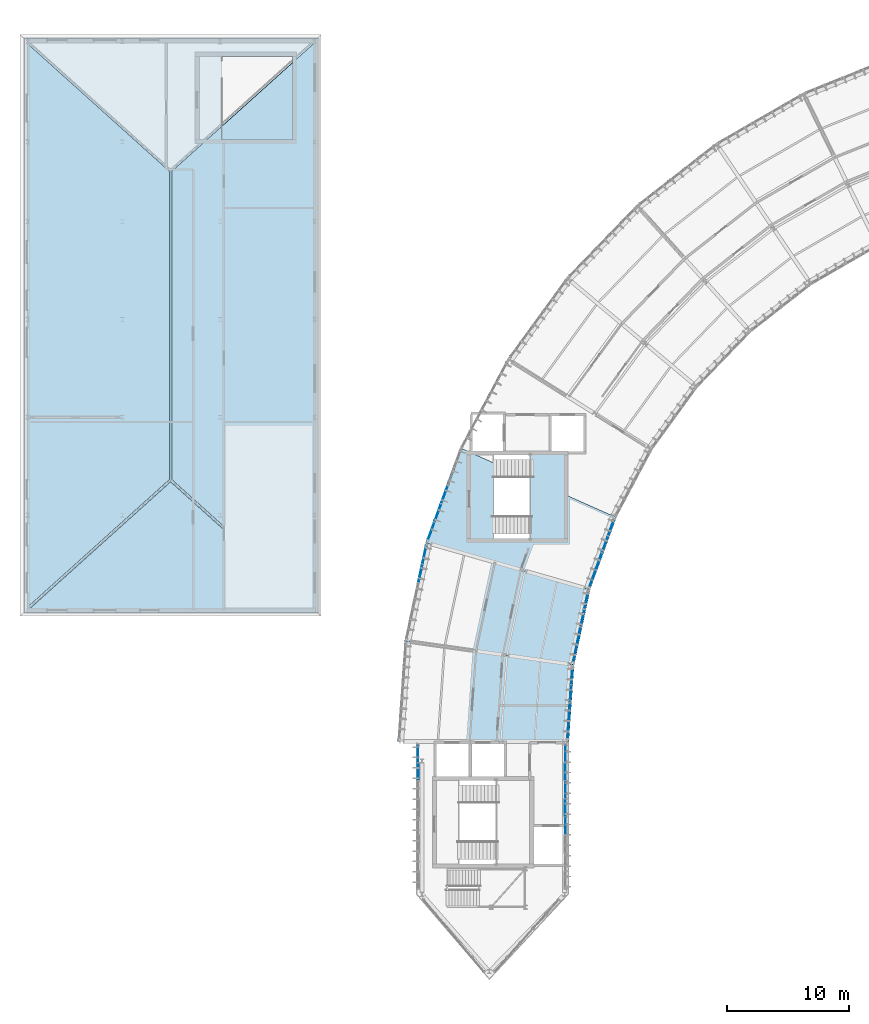
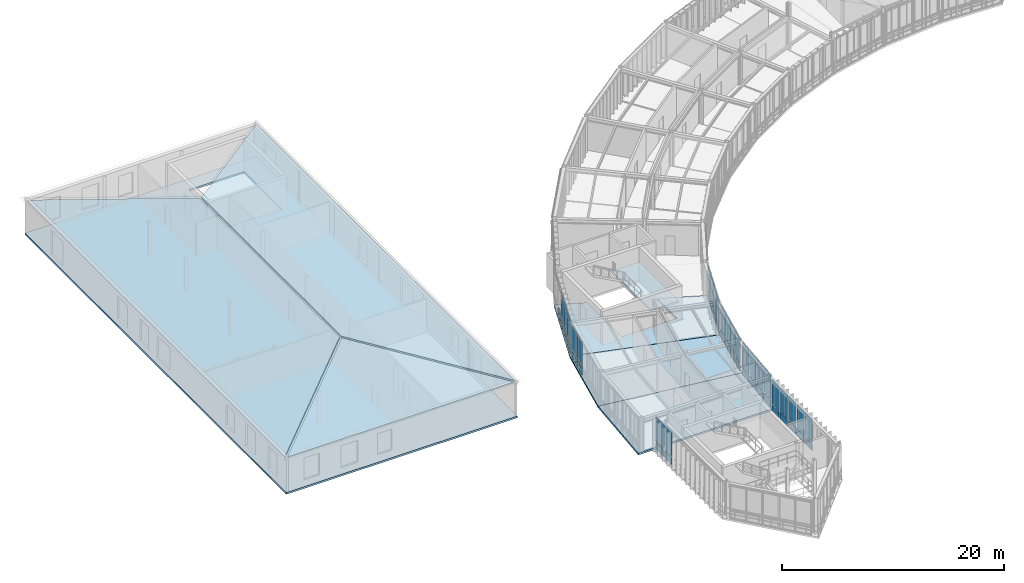
# One storey, part 17 of 42: 49 plates, 8 slabs, 8 elements without a shape of their own.
"""IFC4 building model written with IfcOpenShell, lengths in metres."""

from ifc_helpers import new_model, si_unit, direction, frame, origin, origin_2d, place, context, subcontext, project, spatial, polyline, rectangle, outline, extrude, material, layer, layer_set, type_object, element, aggregate, save


model = new_model("IFC4")

# Units and contexts
model_context = context("Model", 3, precision=1e-05, world=origin(), true_north=direction((0.0, 1.0)))
body_context = subcontext(model_context, "Body", "Model", "MODEL_VIEW")
ifc_project = project(units=[si_unit("LENGTHUNIT", "METRE"), si_unit("AREAUNIT", "SQUARE_METRE"), si_unit("VOLUMEUNIT", "CUBIC_METRE"), si_unit("PLANEANGLEUNIT", "RADIAN"), si_unit("MASSUNIT", "GRAM", prefix="KILO"), si_unit("THERMODYNAMICTEMPERATUREUNIT", "KELVIN"), si_unit("POWERUNIT", "WATT")], contexts=[model_context])

# Site, building, storey
site_placement = place(None, origin())
site = spatial("IfcSite", under=ifc_project, at=site_placement, CompositionType="ELEMENT")
building_placement = place(site_placement, origin())
building = spatial("IfcBuilding", under=site, at=building_placement, Name="Solvatero Civic Police Headquarters", CompositionType="ELEMENT")
storey_placement = place(building_placement, frame((0.0, 0.0, 21.60009765625)))
storey = spatial("IfcBuildingStorey", under=building, at=storey_placement, Name="L05", CompositionType="ELEMENT", Elevation=21.60009765625)

# Curtain wall, plates
ifc_material_1 = material(Name="Anodized Bronze Aluminium", Category="aluminium")
ifc_layer_1 = layer(ifc_material_1, 0.179931640625)
ifc_layer_set_1 = layer_set([ifc_layer_1], Name="Anodized Bronze Aluminium")
curtain_wall_type_1 = type_object("IfcCurtainWallType", Name="CW-ARC-OUT", PredefinedType="USERDEFINED", material=ifc_layer_set_1)
curtain_wall_1_placement = place(storey_placement, origin())
curtain_wall_1 = element("IfcCurtainWall", 1, at=curtain_wall_1_placement, inside=storey, type_object=curtain_wall_type_1, Name="Curtain Wall CW-R2-L05-ARC-OUT-B10", ObjectType="UNITISED", PredefinedType="USERDEFINED")
ifc_material_2 = material(Name="Triple Low-E Laminated Glass", Category="glass")
ifc_layer_2 = layer(ifc_material_2, 0.0380859375)
ifc_layer_set_2 = layer_set([ifc_layer_2], Name="Triple Low-E Laminated Glass")
plate_type_1 = type_object("IfcPlateType", Name="CWP-GLZ-38", PredefinedType="CURTAIN_PANEL", material=ifc_layer_set_2)
plate_1_placement = place(storey_placement, frame((38.83251953125, 46.162353515625, 0.909912109375), z_axis=(0.0, 0.0, 1.0), x_axis=(-0.342020143326, -0.939692620786, 0.0)))
plate_1 = element("IfcPlate", 2, at=plate_1_placement, type_object=plate_type_1, Name="CW-R2-L05-ARC-OUT-B10 Vision Glazing 3", PredefinedType="CURTAIN_PANEL", context=body_context, shape_type="SweptSolid", body=[
    extrude(rectangle(XDim=1.40771484375, YDim=0.0380859375, at=origin_2d()), origin(), (0.0, 0.0, 1.0), 2.669921875),
])
plate_2_placement = place(storey_placement, frame((37.746337890625, 43.178466796875, 0.909912109375), z_axis=(0.0, 0.0, 1.0), x_axis=(-0.342020143326, -0.939692620786, 0.0)))
plate_2 = element("IfcPlate", 3, at=plate_2_placement, type_object=plate_type_1, Name="CW-R2-L05-ARC-OUT-B10 Vision Glazing 5", PredefinedType="CURTAIN_PANEL", context=body_context, shape_type="SweptSolid", body=[
    extrude(rectangle(XDim=1.40771484375, YDim=0.0380859375, at=origin_2d()), origin(), (0.0, 0.0, 1.0), 2.669921875),
])

ifc_layer_3 = layer(ifc_material_1, 0.179931640625)
ifc_layer_set_3 = layer_set([ifc_layer_3], Name="Anodized Bronze Aluminium")
curtain_wall_type_2 = type_object("IfcCurtainWallType", Name="CW-ARC-IN", PredefinedType="USERDEFINED", material=ifc_layer_set_3)
curtain_wall_2_placement = place(storey_placement, origin())
curtain_wall_2 = element("IfcCurtainWall", 4, at=curtain_wall_2_placement, inside=storey, type_object=curtain_wall_type_2, Name="Curtain Wall CW-R2-L05-ARC-IN-B10", ObjectType="UNITISED", PredefinedType="USERDEFINED")
plate_3_placement = place(storey_placement, frame((51.9599609375, 42.096435546875, 0.909912109375), z_axis=(0.0, 0.0, 1.0), x_axis=(-0.342020143326, -0.939692620786, 0.0)))
plate_3 = element("IfcPlate", 5, at=plate_3_placement, type_object=plate_type_1, Name="CW-R2-L05-ARC-IN-B10 Vision Glazing 2", PredefinedType="CURTAIN_PANEL", context=body_context, shape_type="SweptSolid", body=[
    extrude(rectangle(XDim=1.30419921875, YDim=0.0380859375, at=origin_2d()), origin(), (0.0, 0.0, 1.0), 2.669921875),
])
plate_4_placement = place(storey_placement, frame((50.944580078125, 39.306884765625, 0.909912109375), z_axis=(0.0, 0.0, 1.0), x_axis=(-0.342020143326, -0.939692620786, 0.0)))
plate_4 = element("IfcPlate", 6, at=plate_4_placement, type_object=plate_type_1, Name="CW-R2-L05-ARC-IN-B10 Vision Glazing 4", PredefinedType="CURTAIN_PANEL", context=body_context, shape_type="SweptSolid", body=[
    extrude(rectangle(XDim=1.30419921875, YDim=0.0380859375, at=origin_2d()), origin(), (0.0, 0.0, 1.0), 2.669921875),
])

# Curtain wall, plate
curtain_wall_3_placement = place(storey_placement, origin())
curtain_wall_3 = element("IfcCurtainWall", 7, at=curtain_wall_3_placement, inside=storey, type_object=curtain_wall_type_1, Name="Curtain Wall CW-R2-L05-ARC-OUT-B11", ObjectType="UNITISED", PredefinedType="USERDEFINED")
plate_5_placement = place(storey_placement, frame((37.194091796875, 41.256103515625, 0.909912109375), z_axis=(0.0, 0.0, 1.0), x_axis=(-0.207911690818, -0.978147600734, 0.0)))
plate_5 = element("IfcPlate", 8, at=plate_5_placement, type_object=plate_type_1, Name="CW-R2-L05-ARC-OUT-B11 Vision Glazing 1", PredefinedType="CURTAIN_PANEL", context=body_context, shape_type="SweptSolid", body=[
    extrude(rectangle(XDim=1.37841796875, YDim=0.0380859375, at=origin_2d()), origin(), (0.0, 0.0, 1.0), 2.669921875),
])

# Curtain wall, plates
curtain_wall_4_placement = place(storey_placement, origin())
curtain_wall_4 = element("IfcCurtainWall", 9, at=curtain_wall_4_placement, inside=storey, type_object=curtain_wall_type_2, Name="Curtain Wall CW-R2-L05-ARC-IN-B11", ObjectType="UNITISED", PredefinedType="USERDEFINED")
plate_6_placement = place(storey_placement, frame((50.126708984375, 36.0791015625, 0.909912109375), z_axis=(0.0, 0.0, 1.0), x_axis=(-0.20789461889, -0.978151229328, 0.0)))
plate_6 = element("IfcPlate", 10, at=plate_6_placement, type_object=plate_type_1, Name="CW-R2-L05-ARC-IN-B11 Vision Glazing 2", PredefinedType="CURTAIN_PANEL", context=body_context, shape_type="SweptSolid", body=[
    extrude(rectangle(XDim=1.30419921875, YDim=0.0380859375, at=origin_2d()), origin(), (0.0, 0.0, 1.0), 2.669921875),
])
plate_7_placement = place(storey_placement, frame((49.509521484375, 33.175537109375, 0.909912109375), z_axis=(0.0, 0.0, 1.0), x_axis=(-0.20789461889, -0.978151229328, 0.0)))
plate_7 = element("IfcPlate", 11, at=plate_7_placement, type_object=plate_type_1, Name="CW-R2-L05-ARC-IN-B11 Vision Glazing 4", PredefinedType="CURTAIN_PANEL", context=body_context, shape_type="SweptSolid", body=[
    extrude(rectangle(XDim=1.30419921875, YDim=0.0380859375, at=origin_2d()), origin(), (0.0, 0.0, 1.0), 2.669921875),
])

curtain_wall_5_placement = place(storey_placement, origin())
curtain_wall_5 = element("IfcCurtainWall", 12, at=curtain_wall_5_placement, inside=storey, type_object=curtain_wall_type_2, Name="Curtain Wall CW-R2-L05-ARC-IN-B12", ObjectType="UNITISED", PredefinedType="USERDEFINED")
plate_8_placement = place(storey_placement, frame((49.151611328125, 29.885009765625, 0.909912109375), z_axis=(0.0, 0.0, 1.0), x_axis=(-0.069773884511, -0.997562832628, 0.0)))
plate_8 = element("IfcPlate", 13, at=plate_8_placement, type_object=plate_type_1, Name="CW-R2-L05-ARC-IN-B12 Vision Glazing 2", PredefinedType="CURTAIN_PANEL", context=body_context, shape_type="SweptSolid", body=[
    extrude(rectangle(XDim=1.30419921875, YDim=0.0380859375, at=origin_2d()), origin(), (0.0, 0.0, 1.0), 2.669921875),
])
plate_9_placement = place(storey_placement, frame((48.944580078125, 26.923828125, 0.909912109375), z_axis=(0.0, 0.0, 1.0), x_axis=(-0.069773884511, -0.997562832628, 0.0)))
plate_9 = element("IfcPlate", 14, at=plate_9_placement, type_object=plate_type_1, Name="CW-R2-L05-ARC-IN-B12 Vision Glazing 4", PredefinedType="CURTAIN_PANEL", context=body_context, shape_type="SweptSolid", body=[
    extrude(rectangle(XDim=1.30419921875, YDim=0.0380859375, at=origin_2d()), origin(), (0.0, 0.0, 1.0), 2.669921875),
])

# Curtain wall, plate
ifc_layer_4 = layer(ifc_material_1, 0.179931640625)
ifc_layer_set_4 = layer_set([ifc_layer_4], Name="Anodized Bronze Aluminium")
curtain_wall_type_3 = type_object("IfcCurtainWallType", Name="CW-PROW-GLZ", PredefinedType="USERDEFINED", material=ifc_layer_set_4)
curtain_wall_6_placement = place(storey_placement, origin())
curtain_wall_6 = element("IfcCurtainWall", 15, at=curtain_wall_6_placement, inside=storey, type_object=curtain_wall_type_3, Name="Curtain Wall CW-R2-L05-PROW-W", ObjectType="UNITISED", PredefinedType="USERDEFINED")
plate_10_placement = place(storey_placement, frame((36.679931640625, 25.00048828125, 0.909912109375), z_axis=(0.0, 0.0, 1.0), x_axis=(0.0, -1.0, 0.0)))
plate_10 = element("IfcPlate", 16, at=plate_10_placement, type_object=plate_type_1, Name="CW-R2-L05-PROW-W Vision Glazing 1", PredefinedType="CURTAIN_PANEL", context=body_context, shape_type="SweptSolid", body=[
    extrude(rectangle(XDim=1.298583984375, YDim=0.0380859375, at=origin_2d()), origin(), (0.0, 0.0, 1.0), 2.669921875),
])

# Curtain wall, plates
curtain_wall_7_placement = place(storey_placement, origin())
curtain_wall_7 = element("IfcCurtainWall", 17, at=curtain_wall_7_placement, inside=storey, type_object=curtain_wall_type_3, Name="Curtain Wall CW-R2-L05-PROW-E", ObjectType="UNITISED", PredefinedType="USERDEFINED")
plate_11_placement = place(storey_placement, frame((48.719970703125, 19.085693359375, 0.909912109375), z_axis=(0.0, 0.0, 1.0), x_axis=(0.0, 1.0, 0.0)))
plate_11 = element("IfcPlate", 18, at=plate_11_placement, type_object=plate_type_1, Name="CW-R2-L05-PROW-E Vision Glazing 4", PredefinedType="CURTAIN_PANEL", context=body_context, shape_type="SweptSolid", body=[
    extrude(rectangle(XDim=1.298828125, YDim=0.0380859375, at=origin_2d()), origin(), (0.0, 0.0, 1.0), 2.669921875),
])
plate_12_placement = place(storey_placement, frame((48.719970703125, 22.043212890625, 0.909912109375), z_axis=(0.0, 0.0, 1.0), x_axis=(0.0, 1.0, 0.0)))
plate_12 = element("IfcPlate", 19, at=plate_12_placement, type_object=plate_type_1, Name="CW-R2-L05-PROW-E Vision Glazing 6", PredefinedType="CURTAIN_PANEL", context=body_context, shape_type="SweptSolid", body=[
    extrude(rectangle(XDim=1.298828125, YDim=0.0380859375, at=origin_2d()), origin(), (0.0, 0.0, 1.0), 2.669921875),
])
plate_13_placement = place(storey_placement, frame((48.719970703125, 25.00048828125, 0.909912109375), z_axis=(0.0, 0.0, 1.0), x_axis=(0.0, 1.0, 0.0)))
plate_13 = element("IfcPlate", 20, at=plate_13_placement, type_object=plate_type_1, Name="CW-R2-L05-PROW-E Vision Glazing 8", PredefinedType="CURTAIN_PANEL", context=body_context, shape_type="SweptSolid", body=[
    extrude(rectangle(XDim=1.298828125, YDim=0.0380859375, at=origin_2d()), origin(), (0.0, 0.0, 1.0), 2.669921875),
])

# Plate
ifc_material_3 = material(Name="Acoustic Ballistic Laminated Glass", Category="glass")
ifc_layer_5 = layer(ifc_material_3, 0.0439453125)
ifc_layer_set_5 = layer_set([ifc_layer_5], Name="Acoustic Ballistic Laminated Glass")
plate_type_2 = type_object("IfcPlateType", Name="CWP-GLZ-44", PredefinedType="CURTAIN_PANEL", material=ifc_layer_set_5)
plate_14_placement = place(storey_placement, frame((38.289306640625, 44.67041015625, 0.909912109375), z_axis=(0.0, 0.0, 1.0), x_axis=(-0.342020143326, -0.939692620786, 0.0)))
plate_14 = element("IfcPlate", 21, at=plate_14_placement, type_object=plate_type_2, Name="CW-R2-L05-ARC-OUT-B10 Vision Glazing 4", PredefinedType="CURTAIN_PANEL", context=body_context, shape_type="SweptSolid", body=[
    extrude(rectangle(XDim=1.40771484375, YDim=0.0439453125, at=origin_2d()), origin(), (0.0, 0.0, 1.0), 2.669921875),
])

plate_15_placement = place(storey_placement, frame((52.467529296875, 43.4912109375, 0.909912109375), z_axis=(0.0, 0.0, 1.0), x_axis=(-0.342020143326, -0.939692620786, 0.0)))
plate_15 = element("IfcPlate", 22, at=plate_15_placement, type_object=plate_type_2, Name="CW-R2-L05-ARC-IN-B10 Vision Glazing 1", PredefinedType="CURTAIN_PANEL", context=body_context, shape_type="SweptSolid", body=[
    extrude(rectangle(XDim=1.30419921875, YDim=0.0439453125, at=origin_2d()), origin(), (0.0, 0.0, 1.0), 2.669921875),
])

plate_16_placement = place(storey_placement, frame((51.452392578125, 40.70166015625, 0.909912109375), z_axis=(0.0, 0.0, 1.0), x_axis=(-0.342020143326, -0.939692620786, 0.0)))
plate_16 = element("IfcPlate", 23, at=plate_16_placement, type_object=plate_type_2, Name="CW-R2-L05-ARC-IN-B10 Vision Glazing 3", PredefinedType="CURTAIN_PANEL", context=body_context, shape_type="SweptSolid", body=[
    extrude(rectangle(XDim=1.30419921875, YDim=0.0439453125, at=origin_2d()), origin(), (0.0, 0.0, 1.0), 2.669921875),
])

plate_17_placement = place(storey_placement, frame((36.8701171875, 39.731689453125, 0.909912109375), z_axis=(0.0, 0.0, 1.0), x_axis=(-0.207911690818, -0.978147600734, 0.0)))
plate_17 = element("IfcPlate", 24, at=plate_17_placement, type_object=plate_type_2, Name="CW-R2-L05-ARC-OUT-B11 Vision Glazing 2", PredefinedType="CURTAIN_PANEL", context=body_context, shape_type="SweptSolid", body=[
    extrude(rectangle(XDim=1.37841796875, YDim=0.0439453125, at=origin_2d()), origin(), (0.0, 0.0, 1.0), 2.669921875),
])

plate_18_placement = place(storey_placement, frame((50.435302734375, 37.531005859375, 0.909912109375), z_axis=(0.0, 0.0, 1.0), x_axis=(-0.20789461889, -0.978151229328, 0.0)))
plate_18 = element("IfcPlate", 25, at=plate_18_placement, type_object=plate_type_2, Name="CW-R2-L05-ARC-IN-B11 Vision Glazing 1", PredefinedType="CURTAIN_PANEL", context=body_context, shape_type="SweptSolid", body=[
    extrude(rectangle(XDim=1.30419921875, YDim=0.0439453125, at=origin_2d()), origin(), (0.0, 0.0, 1.0), 2.669921875),
])

plate_19_placement = place(storey_placement, frame((49.818115234375, 34.627197265625, 0.909912109375), z_axis=(0.0, 0.0, 1.0), x_axis=(-0.20789461889, -0.978151229328, 0.0)))
plate_19 = element("IfcPlate", 26, at=plate_19_placement, type_object=plate_type_2, Name="CW-R2-L05-ARC-IN-B11 Vision Glazing 3", PredefinedType="CURTAIN_PANEL", context=body_context, shape_type="SweptSolid", body=[
    extrude(rectangle(XDim=1.30419921875, YDim=0.0439453125, at=origin_2d()), origin(), (0.0, 0.0, 1.0), 2.669921875),
])

plate_20_placement = place(storey_placement, frame((49.255126953125, 31.365478515625, 0.909912109375), z_axis=(0.0, 0.0, 1.0), x_axis=(-0.069773884511, -0.997562832628, 0.0)))
plate_20 = element("IfcPlate", 27, at=plate_20_placement, type_object=plate_type_2, Name="CW-R2-L05-ARC-IN-B12 Vision Glazing 1", PredefinedType="CURTAIN_PANEL", context=body_context, shape_type="SweptSolid", body=[
    extrude(rectangle(XDim=1.30419921875, YDim=0.0439453125, at=origin_2d()), origin(), (0.0, 0.0, 1.0), 2.669921875),
])

plate_21_placement = place(storey_placement, frame((49.048095703125, 28.404541015625, 0.909912109375), z_axis=(0.0, 0.0, 1.0), x_axis=(-0.069773884511, -0.997562832628, 0.0)))
plate_21 = element("IfcPlate", 28, at=plate_21_placement, type_object=plate_type_2, Name="CW-R2-L05-ARC-IN-B12 Vision Glazing 3", PredefinedType="CURTAIN_PANEL", context=body_context, shape_type="SweptSolid", body=[
    extrude(rectangle(XDim=1.30419921875, YDim=0.0439453125, at=origin_2d()), origin(), (0.0, 0.0, 1.0), 2.669921875),
])

plate_22_placement = place(storey_placement, frame((36.679931640625, 23.52197265625, 0.909912109375), z_axis=(0.0, 0.0, 1.0), x_axis=(0.0, -1.0, 0.0)))
plate_22 = element("IfcPlate", 29, at=plate_22_placement, type_object=plate_type_2, Name="CW-R2-L05-PROW-W Vision Glazing 2", PredefinedType="CURTAIN_PANEL", context=body_context, shape_type="SweptSolid", body=[
    extrude(rectangle(XDim=1.298583984375, YDim=0.0439453125, at=origin_2d()), origin(), (0.0, 0.0, 1.0), 2.669921875),
])

plate_23_placement = place(storey_placement, frame((48.719970703125, 20.564453125, 0.909912109375), z_axis=(0.0, 0.0, 1.0), x_axis=(0.0, 1.0, 0.0)))
plate_23 = element("IfcPlate", 30, at=plate_23_placement, type_object=plate_type_2, Name="CW-R2-L05-PROW-E Vision Glazing 5", PredefinedType="CURTAIN_PANEL", context=body_context, shape_type="SweptSolid", body=[
    extrude(rectangle(XDim=1.298828125, YDim=0.0439453125, at=origin_2d()), origin(), (0.0, 0.0, 1.0), 2.669921875),
])

plate_24_placement = place(storey_placement, frame((48.719970703125, 23.52197265625, 0.909912109375), z_axis=(0.0, 0.0, 1.0), x_axis=(0.0, 1.0, 0.0)))
plate_24 = element("IfcPlate", 31, at=plate_24_placement, type_object=plate_type_2, Name="CW-R2-L05-PROW-E Vision Glazing 7", PredefinedType="CURTAIN_PANEL", context=body_context, shape_type="SweptSolid", body=[
    extrude(rectangle(XDim=1.298828125, YDim=0.0439453125, at=origin_2d()), origin(), (0.0, 0.0, 1.0), 2.669921875),
])

ifc_material_4 = material(Name="Insulated Bronze Aluminium Spandrel", Category="aluminium")
ifc_layer_6 = layer(ifc_material_4, 0.06005859375)
ifc_layer_set_6 = layer_set([ifc_layer_6], Name="Insulated Bronze Aluminium Spandrel")
plate_type_3 = type_object("IfcPlateType", Name="CWP-SPN-60", PredefinedType="CURTAIN_PANEL", material=ifc_layer_set_6)
plate_25_placement = place(storey_placement, frame((38.83251953125, 46.162353515625, 0.059814453125), z_axis=(0.0, 0.0, 1.0), x_axis=(-0.342020143326, -0.939692620786, 0.0)))
plate_25 = element("IfcPlate", 32, at=plate_25_placement, type_object=plate_type_3, Name="CW-R2-L05-ARC-OUT-B10 Spandrel Panel 3", PredefinedType="CURTAIN_PANEL", context=body_context, shape_type="SweptSolid", body=[
    extrude(rectangle(XDim=1.40771484375, YDim=0.06005859375, at=origin_2d()), origin(), (0.0, 0.0, 1.0), 0.72998046875),
])

plate_26_placement = place(storey_placement, frame((37.746337890625, 43.178466796875, 0.059814453125), z_axis=(0.0, 0.0, 1.0), x_axis=(-0.342020143326, -0.939692620786, 0.0)))
plate_26 = element("IfcPlate", 33, at=plate_26_placement, type_object=plate_type_3, Name="CW-R2-L05-ARC-OUT-B10 Spandrel Panel 5", PredefinedType="CURTAIN_PANEL", context=body_context, shape_type="SweptSolid", body=[
    extrude(rectangle(XDim=1.40771484375, YDim=0.06005859375, at=origin_2d()), origin(), (0.0, 0.0, 1.0), 0.72998046875),
])

plate_27_placement = place(storey_placement, frame((51.9599609375, 42.096435546875, 0.059814453125), z_axis=(0.0, 0.0, 1.0), x_axis=(-0.342020143326, -0.939692620786, 0.0)))
plate_27 = element("IfcPlate", 34, at=plate_27_placement, type_object=plate_type_3, Name="CW-R2-L05-ARC-IN-B10 Spandrel Panel 2", PredefinedType="CURTAIN_PANEL", context=body_context, shape_type="SweptSolid", body=[
    extrude(rectangle(XDim=1.30419921875, YDim=0.06005859375, at=origin_2d()), origin(), (0.0, 0.0, 1.0), 0.72998046875),
])

plate_28_placement = place(storey_placement, frame((50.944580078125, 39.306884765625, 0.059814453125), z_axis=(0.0, 0.0, 1.0), x_axis=(-0.342020143326, -0.939692620786, 0.0)))
plate_28 = element("IfcPlate", 35, at=plate_28_placement, type_object=plate_type_3, Name="CW-R2-L05-ARC-IN-B10 Spandrel Panel 4", PredefinedType="CURTAIN_PANEL", context=body_context, shape_type="SweptSolid", body=[
    extrude(rectangle(XDim=1.30419921875, YDim=0.06005859375, at=origin_2d()), origin(), (0.0, 0.0, 1.0), 0.72998046875),
])

plate_29_placement = place(storey_placement, frame((37.194091796875, 41.256103515625, 0.059814453125), z_axis=(0.0, 0.0, 1.0), x_axis=(-0.207911690818, -0.978147600734, 0.0)))
plate_29 = element("IfcPlate", 36, at=plate_29_placement, type_object=plate_type_3, Name="CW-R2-L05-ARC-OUT-B11 Spandrel Panel 1", PredefinedType="CURTAIN_PANEL", context=body_context, shape_type="SweptSolid", body=[
    extrude(rectangle(XDim=1.37841796875, YDim=0.06005859375, at=origin_2d()), origin(), (0.0, 0.0, 1.0), 0.72998046875),
])

plate_30_placement = place(storey_placement, frame((50.126708984375, 36.0791015625, 0.059814453125), z_axis=(0.0, 0.0, 1.0), x_axis=(-0.20789461889, -0.978151229328, 0.0)))
plate_30 = element("IfcPlate", 37, at=plate_30_placement, type_object=plate_type_3, Name="CW-R2-L05-ARC-IN-B11 Spandrel Panel 2", PredefinedType="CURTAIN_PANEL", context=body_context, shape_type="SweptSolid", body=[
    extrude(rectangle(XDim=1.30419921875, YDim=0.06005859375, at=origin_2d()), origin(), (0.0, 0.0, 1.0), 0.72998046875),
])

plate_31_placement = place(storey_placement, frame((49.509521484375, 33.175537109375, 0.059814453125), z_axis=(0.0, 0.0, 1.0), x_axis=(-0.20789461889, -0.978151229328, 0.0)))
plate_31 = element("IfcPlate", 38, at=plate_31_placement, type_object=plate_type_3, Name="CW-R2-L05-ARC-IN-B11 Spandrel Panel 4", PredefinedType="CURTAIN_PANEL", context=body_context, shape_type="SweptSolid", body=[
    extrude(rectangle(XDim=1.30419921875, YDim=0.06005859375, at=origin_2d()), origin(), (0.0, 0.0, 1.0), 0.72998046875),
])

plate_32_placement = place(storey_placement, frame((49.151611328125, 29.885009765625, 0.059814453125), z_axis=(0.0, 0.0, 1.0), x_axis=(-0.069773884511, -0.997562832628, 0.0)))
plate_32 = element("IfcPlate", 39, at=plate_32_placement, type_object=plate_type_3, Name="CW-R2-L05-ARC-IN-B12 Spandrel Panel 2", PredefinedType="CURTAIN_PANEL", context=body_context, shape_type="SweptSolid", body=[
    extrude(rectangle(XDim=1.30419921875, YDim=0.06005859375, at=origin_2d()), origin(), (0.0, 0.0, 1.0), 0.72998046875),
])

plate_33_placement = place(storey_placement, frame((48.944580078125, 26.923828125, 0.059814453125), z_axis=(0.0, 0.0, 1.0), x_axis=(-0.069773884511, -0.997562832628, 0.0)))
plate_33 = element("IfcPlate", 40, at=plate_33_placement, type_object=plate_type_3, Name="CW-R2-L05-ARC-IN-B12 Spandrel Panel 4", PredefinedType="CURTAIN_PANEL", context=body_context, shape_type="SweptSolid", body=[
    extrude(rectangle(XDim=1.30419921875, YDim=0.06005859375, at=origin_2d()), origin(), (0.0, 0.0, 1.0), 0.72998046875),
])

plate_34_placement = place(storey_placement, frame((36.679931640625, 25.00048828125, 0.059814453125), z_axis=(0.0, 0.0, 1.0), x_axis=(0.0, -1.0, 0.0)))
plate_34 = element("IfcPlate", 41, at=plate_34_placement, type_object=plate_type_3, Name="CW-R2-L05-PROW-W Spandrel Panel 1", PredefinedType="CURTAIN_PANEL", context=body_context, shape_type="SweptSolid", body=[
    extrude(rectangle(XDim=1.298583984375, YDim=0.06005859375, at=origin_2d()), origin(), (0.0, 0.0, 1.0), 0.72998046875),
])

plate_35_placement = place(storey_placement, frame((48.719970703125, 19.085693359375, 0.059814453125), z_axis=(0.0, 0.0, 1.0), x_axis=(0.0, 1.0, 0.0)))
plate_35 = element("IfcPlate", 42, at=plate_35_placement, type_object=plate_type_3, Name="CW-R2-L05-PROW-E Spandrel Panel 4", PredefinedType="CURTAIN_PANEL", context=body_context, shape_type="SweptSolid", body=[
    extrude(rectangle(XDim=1.298828125, YDim=0.06005859375, at=origin_2d()), origin(), (0.0, 0.0, 1.0), 0.72998046875),
])

plate_36_placement = place(storey_placement, frame((48.719970703125, 22.043212890625, 0.059814453125), z_axis=(0.0, 0.0, 1.0), x_axis=(0.0, 1.0, 0.0)))
plate_36 = element("IfcPlate", 43, at=plate_36_placement, type_object=plate_type_3, Name="CW-R2-L05-PROW-E Spandrel Panel 6", PredefinedType="CURTAIN_PANEL", context=body_context, shape_type="SweptSolid", body=[
    extrude(rectangle(XDim=1.298828125, YDim=0.06005859375, at=origin_2d()), origin(), (0.0, 0.0, 1.0), 0.72998046875),
])

plate_37_placement = place(storey_placement, frame((48.719970703125, 25.00048828125, 0.059814453125), z_axis=(0.0, 0.0, 1.0), x_axis=(0.0, 1.0, 0.0)))
plate_37 = element("IfcPlate", 44, at=plate_37_placement, type_object=plate_type_3, Name="CW-R2-L05-PROW-E Spandrel Panel 8", PredefinedType="CURTAIN_PANEL", context=body_context, shape_type="SweptSolid", body=[
    extrude(rectangle(XDim=1.298828125, YDim=0.06005859375, at=origin_2d()), origin(), (0.0, 0.0, 1.0), 0.72998046875),
])

ifc_material_5 = material(Name="Limestone Veneer Spandrel Panel", Category="masonry")
ifc_layer_7 = layer(ifc_material_5, 0.074951171875)
ifc_layer_set_7 = layer_set([ifc_layer_7], Name="Limestone Veneer Spandrel Panel")
plate_type_4 = type_object("IfcPlateType", Name="CWP-SPN-75", PredefinedType="CURTAIN_PANEL", material=ifc_layer_set_7)
plate_38_placement = place(storey_placement, frame((39.37548828125, 47.654296875, 0.059814453125), z_axis=(0.0, 0.0, 1.0), x_axis=(-0.342020143326, -0.939692620786, 0.0)))
plate_38 = element("IfcPlate", 45, at=plate_38_placement, type_object=plate_type_4, Name="CW-R2-L05-ARC-OUT-B10 Spandrel Panel 2", PredefinedType="CURTAIN_PANEL", context=body_context, shape_type="SweptSolid", body=[
    extrude(rectangle(XDim=1.40771484375, YDim=0.074951171875, at=origin_2d()), origin(), (0.0, 0.0, 1.0), 0.72998046875),
])

plate_39_placement = place(storey_placement, frame((38.289306640625, 44.67041015625, 0.059814453125), z_axis=(0.0, 0.0, 1.0), x_axis=(-0.342020143326, -0.939692620786, 0.0)))
plate_39 = element("IfcPlate", 46, at=plate_39_placement, type_object=plate_type_4, Name="CW-R2-L05-ARC-OUT-B10 Spandrel Panel 4", PredefinedType="CURTAIN_PANEL", context=body_context, shape_type="SweptSolid", body=[
    extrude(rectangle(XDim=1.40771484375, YDim=0.074951171875, at=origin_2d()), origin(), (0.0, 0.0, 1.0), 0.72998046875),
])

aggregate(curtain_wall_1, [plate_38, plate_25, plate_1, plate_39, plate_14, plate_26, plate_2])

plate_40_placement = place(storey_placement, frame((52.467529296875, 43.4912109375, 0.059814453125), z_axis=(0.0, 0.0, 1.0), x_axis=(-0.342020143326, -0.939692620786, 0.0)))
plate_40 = element("IfcPlate", 47, at=plate_40_placement, type_object=plate_type_4, Name="CW-R2-L05-ARC-IN-B10 Spandrel Panel 1", PredefinedType="CURTAIN_PANEL", context=body_context, shape_type="SweptSolid", body=[
    extrude(rectangle(XDim=1.30419921875, YDim=0.074951171875, at=origin_2d()), origin(), (0.0, 0.0, 1.0), 0.72998046875),
])

plate_41_placement = place(storey_placement, frame((51.452392578125, 40.70166015625, 0.059814453125), z_axis=(0.0, 0.0, 1.0), x_axis=(-0.342020143326, -0.939692620786, 0.0)))
plate_41 = element("IfcPlate", 48, at=plate_41_placement, type_object=plate_type_4, Name="CW-R2-L05-ARC-IN-B10 Spandrel Panel 3", PredefinedType="CURTAIN_PANEL", context=body_context, shape_type="SweptSolid", body=[
    extrude(rectangle(XDim=1.30419921875, YDim=0.074951171875, at=origin_2d()), origin(), (0.0, 0.0, 1.0), 0.72998046875),
])

aggregate(curtain_wall_2, [plate_40, plate_15, plate_27, plate_3, plate_41, plate_16, plate_28, plate_4])

plate_42_placement = place(storey_placement, frame((36.8701171875, 39.731689453125, 0.059814453125), z_axis=(0.0, 0.0, 1.0), x_axis=(-0.207911690818, -0.978147600734, 0.0)))
plate_42 = element("IfcPlate", 49, at=plate_42_placement, type_object=plate_type_4, Name="CW-R2-L05-ARC-OUT-B11 Spandrel Panel 2", PredefinedType="CURTAIN_PANEL", context=body_context, shape_type="SweptSolid", body=[
    extrude(rectangle(XDim=1.37841796875, YDim=0.074951171875, at=origin_2d()), origin(), (0.0, 0.0, 1.0), 0.72998046875),
])

aggregate(curtain_wall_3, [plate_29, plate_5, plate_42, plate_17])

plate_43_placement = place(storey_placement, frame((50.435302734375, 37.531005859375, 0.059814453125), z_axis=(0.0, 0.0, 1.0), x_axis=(-0.20789461889, -0.978151229328, 0.0)))
plate_43 = element("IfcPlate", 50, at=plate_43_placement, type_object=plate_type_4, Name="CW-R2-L05-ARC-IN-B11 Spandrel Panel 1", PredefinedType="CURTAIN_PANEL", context=body_context, shape_type="SweptSolid", body=[
    extrude(rectangle(XDim=1.30419921875, YDim=0.074951171875, at=origin_2d()), origin(), (0.0, 0.0, 1.0), 0.72998046875),
])

plate_44_placement = place(storey_placement, frame((49.818115234375, 34.627197265625, 0.059814453125), z_axis=(0.0, 0.0, 1.0), x_axis=(-0.20789461889, -0.978151229328, 0.0)))
plate_44 = element("IfcPlate", 51, at=plate_44_placement, type_object=plate_type_4, Name="CW-R2-L05-ARC-IN-B11 Spandrel Panel 3", PredefinedType="CURTAIN_PANEL", context=body_context, shape_type="SweptSolid", body=[
    extrude(rectangle(XDim=1.30419921875, YDim=0.074951171875, at=origin_2d()), origin(), (0.0, 0.0, 1.0), 0.72998046875),
])

aggregate(curtain_wall_4, [plate_43, plate_18, plate_30, plate_6, plate_44, plate_19, plate_31, plate_7])

plate_45_placement = place(storey_placement, frame((49.255126953125, 31.365478515625, 0.059814453125), z_axis=(0.0, 0.0, 1.0), x_axis=(-0.069773884511, -0.997562832628, 0.0)))
plate_45 = element("IfcPlate", 52, at=plate_45_placement, type_object=plate_type_4, Name="CW-R2-L05-ARC-IN-B12 Spandrel Panel 1", PredefinedType="CURTAIN_PANEL", context=body_context, shape_type="SweptSolid", body=[
    extrude(rectangle(XDim=1.30419921875, YDim=0.074951171875, at=origin_2d()), origin(), (0.0, 0.0, 1.0), 0.72998046875),
])

plate_46_placement = place(storey_placement, frame((49.048095703125, 28.404541015625, 0.059814453125), z_axis=(0.0, 0.0, 1.0), x_axis=(-0.069773884511, -0.997562832628, 0.0)))
plate_46 = element("IfcPlate", 53, at=plate_46_placement, type_object=plate_type_4, Name="CW-R2-L05-ARC-IN-B12 Spandrel Panel 3", PredefinedType="CURTAIN_PANEL", context=body_context, shape_type="SweptSolid", body=[
    extrude(rectangle(XDim=1.30419921875, YDim=0.074951171875, at=origin_2d()), origin(), (0.0, 0.0, 1.0), 0.72998046875),
])

aggregate(curtain_wall_5, [plate_45, plate_20, plate_32, plate_8, plate_46, plate_21, plate_33, plate_9])

plate_47_placement = place(storey_placement, frame((36.679931640625, 23.52197265625, 0.059814453125), z_axis=(0.0, 0.0, 1.0), x_axis=(0.0, -1.0, 0.0)))
plate_47 = element("IfcPlate", 54, at=plate_47_placement, type_object=plate_type_4, Name="CW-R2-L05-PROW-W Spandrel Panel 2", PredefinedType="CURTAIN_PANEL", context=body_context, shape_type="SweptSolid", body=[
    extrude(rectangle(XDim=1.298583984375, YDim=0.074951171875, at=origin_2d()), origin(), (0.0, 0.0, 1.0), 0.72998046875),
])

aggregate(curtain_wall_6, [plate_34, plate_10, plate_47, plate_22])

plate_48_placement = place(storey_placement, frame((48.719970703125, 20.564453125, 0.059814453125), z_axis=(0.0, 0.0, 1.0), x_axis=(0.0, 1.0, 0.0)))
plate_48 = element("IfcPlate", 55, at=plate_48_placement, type_object=plate_type_4, Name="CW-R2-L05-PROW-E Spandrel Panel 5", PredefinedType="CURTAIN_PANEL", context=body_context, shape_type="SweptSolid", body=[
    extrude(rectangle(XDim=1.298828125, YDim=0.074951171875, at=origin_2d()), origin(), (0.0, 0.0, 1.0), 0.72998046875),
])

plate_49_placement = place(storey_placement, frame((48.719970703125, 23.52197265625, 0.059814453125), z_axis=(0.0, 0.0, 1.0), x_axis=(0.0, 1.0, 0.0)))
plate_49 = element("IfcPlate", 56, at=plate_49_placement, type_object=plate_type_4, Name="CW-R2-L05-PROW-E Spandrel Panel 7", PredefinedType="CURTAIN_PANEL", context=body_context, shape_type="SweptSolid", body=[
    extrude(rectangle(XDim=1.298828125, YDim=0.074951171875, at=origin_2d()), origin(), (0.0, 0.0, 1.0), 0.72998046875),
])

aggregate(curtain_wall_7, [plate_35, plate_11, plate_48, plate_23, plate_36, plate_12, plate_49, plate_24, plate_37, plate_13])

# Slabs
ifc_material_6 = material(Name="Concrete C35/45", Category="concrete")
ifc_layer_8 = layer(ifc_material_6, 0.199951171875)
ifc_layer_set_8 = layer_set([ifc_layer_8], Name="Concrete C35/45")
slab_type_1 = type_object("IfcSlabType", Name="SLB-COMP-200", PredefinedType="FLOOR", material=ifc_layer_set_8)
slab_1_placement = place(storey_placement, frame((0.0, 0.0, -0.2001953125)))
element("IfcSlab", 57, at=slab_1_placement, inside=storey, type_object=slab_type_1, Name="L05 Operations Arc Floor Slab Bay 10", PredefinedType="FLOOR", context=body_context, shape_type="SweptSolid", body=[
    extrude(outline(polyline([(37.28564453125, 42.2626953125), (40.10009765625, 49.99560546875), (42.860107421875, 48.766845703125), (42.860107421875, 42.60009765625), (48.60009765625, 42.60009765625), (48.60009765625, 46.211181640625), (52.889892578125, 44.30126953125), (50.7431640625, 38.40380859375), (37.28564453125, 42.2626953125)])), origin(), (0.0, 0.0, 1.0), 0.2001953125),
])
slab_2_placement = place(storey_placement, frame((0.0, 0.0, -0.2001953125)))
element("IfcSlab", 58, at=slab_2_placement, inside=storey, type_object=slab_type_1, Name="L05 Operations Arc Floor Slab Bay 11", PredefinedType="FLOOR", context=body_context, shape_type="SweptSolid", body=[
    extrude(outline(polyline([(37.28515625, 42.260498046875), (50.742919921875, 38.401611328125), (49.43798828125, 32.2626953125), (35.57421875, 34.211181640625), (37.28515625, 42.260498046875)])), origin(), (0.0, 0.0, 1.0), 0.2001953125),
])
slab_3_placement = place(storey_placement, frame((0.0, 0.0, -0.2001953125)))
element("IfcSlab", 59, at=slab_3_placement, inside=storey, type_object=slab_type_1, Name="L05 Operations Arc Floor Slab Bay 12", PredefinedType="FLOOR", context=body_context, shape_type="SweptSolid", body=[
    extrude(outline(polyline([(35.57421875, 34.209228515625), (49.437744140625, 32.2607421875), (49.0, 26.001953125), (36.498046875, 26.001953125), (36.498046875, 26.0), (35.0, 26.0), (35.57421875, 34.209228515625)])), origin(), (0.0, 0.0, 1.0), 0.2001953125),
])
slab_4_placement = place(storey_placement, frame((0.0, 0.0, -0.2001953125)))
element("IfcSlab", 60, at=slab_4_placement, inside=storey, type_object=slab_type_1, Name="L05 Suspended floor slab SLB-L05-V6", PredefinedType="FLOOR", context=body_context, shape_type="SweptSolid", body=[
    extrude(outline(polyline([(4.5, 83.5), (28.5, 83.5), (28.5, 36.5), (4.5, 36.5), (4.5, 83.5)]), holes=[polyline([(26.39990234375, 82.0), (20.659912109375, 82.0), (20.659912109375, 75.199951171875), (26.39990234375, 75.199951171875), (26.39990234375, 82.0)])]), origin(), (0.0, 0.0, 1.0), 0.2001953125),
])

# Stair, slab
ifc_material_7 = material(Name="Precast concrete C40/50", Category="concrete")
stair_type = type_object("IfcStairType", Name="STR-C150-390", PredefinedType="HALF_TURN_STAIR", material=ifc_material_7)
stair_placement = place(storey_placement, origin())
stair = element("IfcStair", 61, at=stair_placement, inside=storey, type_object=stair_type, Name="Protected Exit Stair ST-C2 (L05 to L06)", PredefinedType="HALF_TURN_STAIR")
ifc_layer_9 = layer(ifc_material_7, 0.199951171875)
ifc_layer_set_9 = layer_set([ifc_layer_9], Name="Precast concrete C40/50")
slab_type_2 = type_object("IfcSlabType", Name="SLB-LND-200", PredefinedType="LANDING", material=ifc_layer_set_9)
slab_5_placement = place(storey_placement, frame((0.0, 0.0, 1.75)))
slab_5 = element("IfcSlab", 62, at=slab_5_placement, type_object=slab_type_2, Name="ST-C2 L05 Half-Landing", PredefinedType="LANDING", context=body_context, shape_type="SweptSolid", body=[
    extrude(outline(polyline([(45.840087890625, 42.449951171875), (48.75, 42.449951171875), (48.75, 49.550048828125), (45.840087890625, 49.550048828125), (45.840087890625, 42.449951171875)])), origin(), (0.0, 0.0, 1.0), 0.199951171875),
])
aggregate(stair, [slab_5])

# Slabs
ifc_layer_10 = layer(ifc_material_6, 0.179931640625)
ifc_layer_set_10 = layer_set([ifc_layer_10], Name="Concrete C35/45")
slab_type_3 = type_object("IfcSlabType", Name="SLB-RF-COT-180", PredefinedType="ROOF", material=ifc_layer_set_10)
slab_6_placement = place(storey_placement, frame((16.342529296875, 47.40478515625, 6.326904296875), z_axis=(-0.210273669282, 0.0, 0.977642564543), x_axis=(-0.733975984008, -0.660573846205, -0.157865286271)))
element("IfcSlab", 63, at=slab_6_placement, inside=storey, type_object=slab_type_3, Name="FOR Lombard Hipped Roof Slab W", PredefinedType="ROOF", context=body_context, shape_type="SweptSolid", body=[
    extrude(outline(polyline([(0.0, 0.0), (16.134764018033877, -1.4988010832439613e-15), (-14.5864354720177, -34.91552220445795), (-16.64013902622431, -18.911994105033134), (0.0, 0.0)])), origin(), (0.0, 0.0, -1.0), 0.179931640625),
])
slab_7_placement = place(storey_placement, frame((16.5576171875, 72.59521484375, 6.326904296875), z_axis=(0.210277812608, 0.0, 0.977641673378), x_axis=(0.733969004118, 0.660581182612, -0.157867039541)))
element("IfcSlab", 64, at=slab_7_placement, inside=storey, type_object=slab_type_3, Name="FOR Lombard Hipped Roof Slab E", PredefinedType="ROOF", context=body_context, shape_type="SweptSolid", body=[
    extrude(outline(polyline([(0.0, 0.0), (16.13458482553044, -2.4424906541753444e-15), (-14.586955857598294, -34.915221995175806), (-16.640323833469242, -18.911831496662536), (0.0, 0.0)])), origin(), (0.0, 0.0, -1.0), 0.179931640625),
])
slab_8_placement = place(storey_placement, frame((28.238037109375, 36.60009765625, 3.77978515625), z_axis=(0.0, -0.232437437947, 0.972611349636), x_axis=(-1.0, 0.0, 0.0)))
element("IfcSlab", 65, at=slab_8_placement, inside=storey, type_object=slab_type_3, Name="FOR Lombard Hipped Roof Slab S", PredefinedType="ROOF", context=body_context, shape_type="SweptSolid", body=[
    extrude(outline(polyline([(0.0, 0.0), (23.575927734375, 0.0), (11.7880859375, -10.90788305456766), (0.0, 0.0)])), origin(), (0.0, 0.0, -1.0), 0.179931640625),
])

save(model, "model.ifc")
